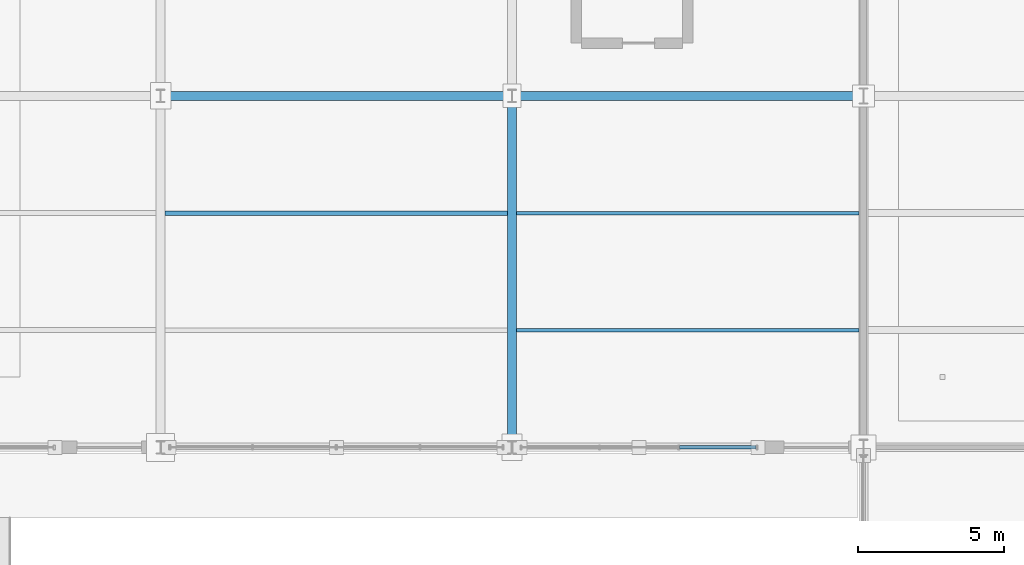
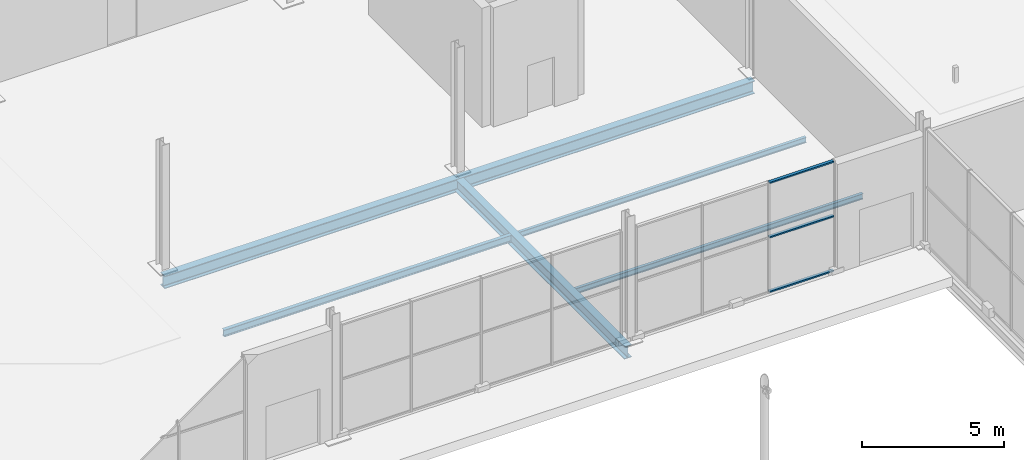
# One storey, part 127 of 196: 6 beams, 3 members, 1 element without a shape of its own.
"""IFC4 building model written with IfcOpenShell, lengths in metres."""

from ifc_helpers import new_model, si_unit, direction, frame, origin, origin_2d, place, context, subcontext, project, spatial, hollow_rectangle, i_section, extrude, material, material_profile, profile_set, type_object, element, aggregate, save


model = new_model("IFC4")

# Units and contexts
model_context = context("Model", 3, precision=1e-05, world=origin(), true_north=direction((0.0, 1.0)))
body_context = subcontext(model_context, "Body", "Model", "MODEL_VIEW")
ifc_project = project(units=[si_unit("LENGTHUNIT", "METRE"), si_unit("AREAUNIT", "SQUARE_METRE"), si_unit("VOLUMEUNIT", "CUBIC_METRE"), si_unit("PLANEANGLEUNIT", "RADIAN"), si_unit("MASSUNIT", "GRAM", prefix="KILO")], contexts=[model_context])

# Site, building, storey
site_placement = place(None, origin())
site = spatial("IfcSite", under=ifc_project, at=site_placement, CompositionType="ELEMENT")
building_placement = place(site_placement, origin())
building = spatial("IfcBuilding", under=site, at=building_placement, Name="Merenkruunu Market Hall", CompositionType="ELEMENT")
storey_placement = place(building_placement, origin())
storey = spatial("IfcBuildingStorey", under=building, at=storey_placement, Name="L00", CompositionType="ELEMENT", Elevation=0.0)

# Curtain wall, members
ifc_material_1 = material(Name="Powder-coated aluminium", Category="aluminium")
curtain_wall_type = type_object("IfcCurtainWallType", Name="Glazed Curtain Wall CW06", PredefinedType="USERDEFINED", material=ifc_material_1)
curtain_wall_placement = place(storey_placement, origin())
curtain_wall = element("IfcCurtainWall", 1, at=curtain_wall_placement, inside=storey, type_object=curtain_wall_type, Name="CW-L00-CWM01-198", ObjectType="GLAZED_FACADE", PredefinedType="USERDEFINED")
ifc_material_profile_1 = material_profile(ifc_material_1, hollow_rectangle(XDim=0.06005859375, YDim=0.125, WallThickness=0.00390625, at=origin_2d()), Name="ALU 60x125x4")
ifc_profile_set_1 = profile_set([ifc_material_profile_1], Name="Powder-coated aluminium")
member_type = type_object("IfcMemberType", Name="Curtain Wall Transom CWT01", PredefinedType="USERDEFINED", material=ifc_profile_set_1)
member_1_placement = place(storey_placement, frame((145.139892578125, 15.60009765625, 0.030029296875), z_axis=(-1.0, 0.0, 0.0), x_axis=(0.0, 0.0, 1.0)))
member_1 = element("IfcMember", 2, at=member_1_placement, type_object=member_type, Name="CW06 transom 1.1", ObjectType="TRANSOM", PredefinedType="USERDEFINED", context=body_context, shape_type="SweptSolid", body=[
    extrude(hollow_rectangle(XDim=0.06005859375, YDim=0.125, WallThickness=0.00390625, at=origin_2d()), origin(), (0.0, 0.0, 1.0), 2.616455078125),
])
member_2_placement = place(storey_placement, frame((145.139892578125, 15.60009765625, 2.375), z_axis=(-1.0, 0.0, 0.0), x_axis=(0.0, 0.0, 1.0)))
member_2 = element("IfcMember", 3, at=member_2_placement, type_object=member_type, Name="CW06 transom 1.2", ObjectType="TRANSOM", PredefinedType="USERDEFINED", context=body_context, shape_type="SweptSolid", body=[
    extrude(hollow_rectangle(XDim=0.06005859375, YDim=0.125, WallThickness=0.00390625, at=origin_2d()), origin(), (0.0, 0.0, 1.0), 2.616455078125),
])
member_3_placement = place(storey_placement, frame((145.139892578125, 15.60009765625, 4.719970703125), z_axis=(-1.0, 0.0, 0.0), x_axis=(0.0, 0.0, 1.0)))
member_3 = element("IfcMember", 4, at=member_3_placement, type_object=member_type, Name="CW06 transom 1.3", ObjectType="TRANSOM", PredefinedType="USERDEFINED", context=body_context, shape_type="SweptSolid", body=[
    extrude(hollow_rectangle(XDim=0.06005859375, YDim=0.125, WallThickness=0.00390625, at=origin_2d()), origin(), (0.0, 0.0, 1.0), 2.616455078125),
])
aggregate(curtain_wall, [member_1, member_2, member_3])

# Beams
ifc_material_2 = material(Name="Steel S355J2", Category="steel")
ifc_material_profile_2 = material_profile(ifc_material_2, i_section(OverallWidth=0.300048828125, OverallDepth=0.550048828125, WebThickness=0.014892578125, FlangeThickness=0.029052734375, FilletRadius=0.027099609375, at=origin_2d()), Name="HEB 550")
ifc_profile_set_2 = profile_set([ifc_material_profile_2], Name="Steel S355J2")
beam_type_1 = type_object("IfcBeamType", Name="Primary Floor Girder B02", PredefinedType="BEAM", material=ifc_profile_set_2)
for number, where, z_axis, x_axis, name in (
    (5, (124.800048828125, 27.60009765625, -0.574951171875), (1.0, 0.0, 0.0), (0.0, 1.0, 0.0), "BM-L00-B02-0039"),
    (6, (136.800048828125, 27.60009765625, -0.574951171875), (1.0, 0.0, 0.0), (0.0, 1.0, 0.0), "BM-L00-B02-0040"),
):
    element("IfcBeam", number, at=place(storey_placement, frame(where, z_axis=z_axis, x_axis=x_axis)), inside=storey, type_object=beam_type_1, Name=name, PredefinedType="BEAM", context=body_context, shape_type="SweptSolid", body=[
        extrude(i_section(OverallWidth=0.300048828125, OverallDepth=0.550048828125, WebThickness=0.014892578125, FlangeThickness=0.029052734375, FilletRadius=0.027099609375, at=origin_2d()), origin(), (0.0, 0.0, 1.0), 12.0),
    ])
ifc_material_profile_3 = material_profile(ifc_material_2, i_section(OverallWidth=0.300048828125, OverallDepth=0.5400390625, WebThickness=0.012451171875, FlangeThickness=0.02392578125, FilletRadius=0.027099609375, at=origin_2d()), Name="HEA 550")
ifc_profile_set_3 = profile_set([ifc_material_profile_3], Name="Steel S355J2")
beam_type_2 = type_object("IfcBeamType", Name="Primary Floor Girder B06", PredefinedType="BEAM", material=ifc_profile_set_3)
beam_1_placement = place(storey_placement, frame((136.800048828125, 15.60009765625, -0.570068359375), z_axis=(0.0, 1.0, 0.0), x_axis=(-1.0, 0.0, 0.0)))
element("IfcBeam", 7, at=beam_1_placement, inside=storey, type_object=beam_type_2, Name="BM-L00-B06-0233", PredefinedType="BEAM", context=body_context, shape_type="SweptSolid", body=[
    extrude(i_section(OverallWidth=0.300048828125, OverallDepth=0.5400390625, WebThickness=0.012451171875, FlangeThickness=0.02392578125, FilletRadius=0.027099609375, at=origin_2d()), origin(), (0.0, 0.0, 1.0), 12.0),
])
ifc_material_profile_4 = material_profile(ifc_material_2, i_section(OverallWidth=0.14990234375, OverallDepth=0.300048828125, WebThickness=0.007080078125, FlangeThickness=0.0107421875, FilletRadius=0.014892578125, at=origin_2d()), Name="IPE 300")
ifc_profile_set_4 = profile_set([ifc_material_profile_4], Name="Steel S355J2")
beam_type_3 = type_object("IfcBeamType", Name="Secondary Floor Joist J04", PredefinedType="JOIST", material=ifc_profile_set_4)
beam_2_placement = place(storey_placement, frame((124.952880859375, 23.60009765625, -0.449951171875), z_axis=(1.0, 0.0, 0.0), x_axis=(0.0, 1.0, 0.0)))
element("IfcBeam", 8, at=beam_2_placement, inside=storey, type_object=beam_type_3, Name="BM-L00-J04-0408", PredefinedType="JOIST", context=body_context, shape_type="SweptSolid", body=[
    extrude(i_section(OverallWidth=0.14990234375, OverallDepth=0.300048828125, WebThickness=0.007080078125, FlangeThickness=0.0107421875, FilletRadius=0.014892578125, at=origin_2d()), origin(), (0.0, 0.0, 1.0), 11.694091796875),
])
ifc_material_profile_5 = material_profile(ifc_material_2, i_section(OverallWidth=0.1201171875, OverallDepth=0.239990234375, WebThickness=0.006103515625, FlangeThickness=0.009765625, FilletRadius=0.014892578125, at=origin_2d()), Name="IPE 240")
ifc_profile_set_5 = profile_set([ifc_material_profile_5], Name="Steel S355J2")
beam_type_4 = type_object("IfcBeamType", Name="Secondary Floor Joist J05", PredefinedType="JOIST", material=ifc_profile_set_5)
for number, where, z_axis, x_axis, name in (
    (9, (136.952880859375, 19.60009765625, -0.419921875), (1.0, 0.0, 0.0), (0.0, 1.0, 0.0), "BM-L00-J05-0417"),
    (10, (136.952880859375, 23.60009765625, -0.419921875), (1.0, 0.0, 0.0), (0.0, 1.0, 0.0), "BM-L00-J05-0418"),
):
    element("IfcBeam", number, at=place(storey_placement, frame(where, z_axis=z_axis, x_axis=x_axis)), inside=storey, type_object=beam_type_4, Name=name, PredefinedType="JOIST", context=body_context, shape_type="SweptSolid", body=[
        extrude(i_section(OverallWidth=0.1201171875, OverallDepth=0.239990234375, WebThickness=0.006103515625, FlangeThickness=0.009765625, FilletRadius=0.014892578125, at=origin_2d()), origin(), (0.0, 0.0, 1.0), 11.694091796875),
    ])

save(model, "model.ifc")
